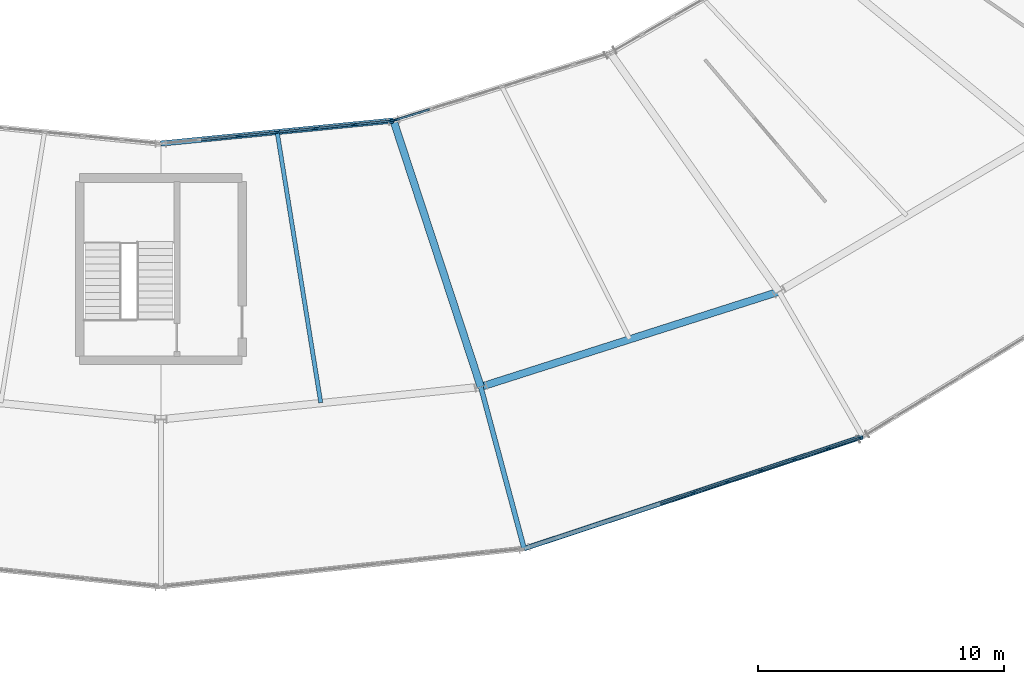
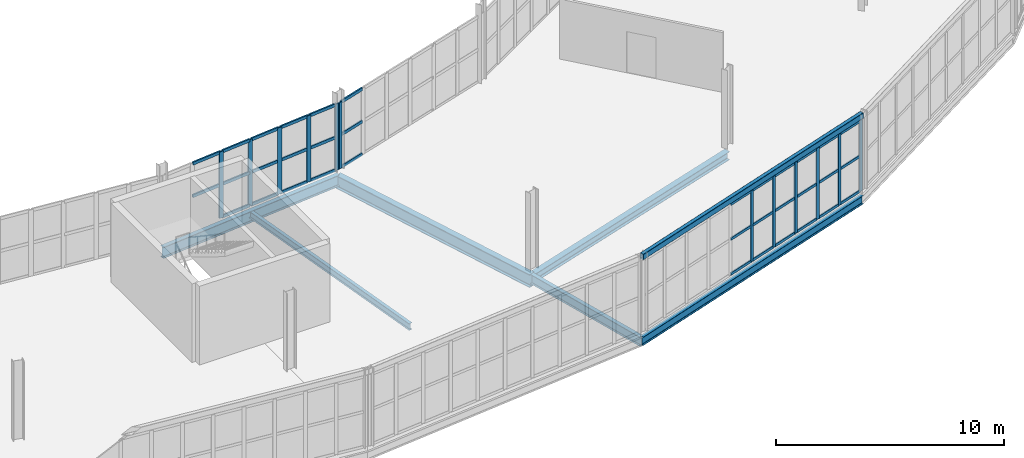
# One storey, part 46 of 161: 47 members, 7 beams, 3 elements without a shape of their own.
"""IFC4 building model written with IfcOpenShell, lengths in metres."""

from ifc_helpers import new_model, si_unit, direction, frame, origin, origin_2d, place, context, subcontext, project, spatial, rectangle, hollow_rectangle, i_section, extrude, material, material_profile, profile_set, type_object, element, aggregate, save


model = new_model("IFC4")

# Units and contexts
model_context = context("Model", 3, precision=1e-05, world=origin(), true_north=direction((0.0, 1.0)))
body_context = subcontext(model_context, "Body", "Model", "MODEL_VIEW")
ifc_project = project(units=[si_unit("LENGTHUNIT", "METRE"), si_unit("AREAUNIT", "SQUARE_METRE"), si_unit("VOLUMEUNIT", "CUBIC_METRE"), si_unit("PLANEANGLEUNIT", "RADIAN"), si_unit("MASSUNIT", "GRAM", prefix="KILO")], contexts=[model_context])

# Site, building, storey
site_placement = place(None, origin())
site = spatial("IfcSite", under=ifc_project, at=site_placement, CompositionType="ELEMENT")
building_placement = place(site_placement, origin())
building = spatial("IfcBuilding", under=site, at=building_placement, Name="Kildeholm Park Wholesale Market", CompositionType="ELEMENT")
storey_placement = place(building_placement, frame((0.0, 0.0, 5.39990234375)))
storey = spatial("IfcBuildingStorey", under=building, at=storey_placement, Name="L01", CompositionType="ELEMENT", Elevation=5.39990234375)

# Beams
ifc_material_1 = material(Name="Steel S355", Category="steel")
ifc_material_profile_1 = material_profile(ifc_material_1, i_section(OverallWidth=0.300048828125, OverallDepth=0.699951171875, WebThickness=0.01708984375, FlangeThickness=0.031982421875, FilletRadius=0.027099609375, at=origin_2d()), Name="HEB 700")
ifc_profile_set_1 = profile_set([ifc_material_profile_1], Name="Steel S355")
beam_type_1 = type_object("IfcBeamType", Name="Beam B-G01 HEB 700", PredefinedType="BEAM", material=ifc_profile_set_1)
beam_1_placement = place(storey_placement, frame((108.447021484375, 62.93701171875, -0.599853515625), z_axis=(0.31146940438, -0.950256181319, 0.0), x_axis=(0.950256181319, 0.31146940438, 0.0)))
element("IfcBeam", 1, at=beam_1_placement, inside=storey, type_object=beam_type_1, Name="Beam BM-V1-L01-R1-19 BM-0172", PredefinedType="BEAM", context=body_context, shape_type="SweptSolid", body=[
    extrude(i_section(OverallWidth=0.300048828125, OverallDepth=0.699951171875, WebThickness=0.01708984375, FlangeThickness=0.031982421875, FilletRadius=0.027099609375, at=origin_2d()), origin(), (0.0, 0.0, 1.0), 11.384521484375),
])
ifc_material_profile_2 = material_profile(ifc_material_1, i_section(OverallWidth=0.18994140625, OverallDepth=0.449951171875, WebThickness=0.009521484375, FlangeThickness=0.0146484375, FilletRadius=0.02099609375, at=origin_2d()), Name="IPE 450")
ifc_profile_set_2 = profile_set([ifc_material_profile_2], Name="Steel S355")
beam_type_2 = type_object("IfcBeamType", Name="Beam B-P02 IPE 450", PredefinedType="BEAM", material=ifc_profile_set_2)
beam_2_placement = place(storey_placement, frame((113.7529296875, 45.550048828125, -0.474853515625), z_axis=(0.949435985478, 0.313960681424, 0.0), x_axis=(-0.313960681424, 0.949435985478, 0.0)))
element("IfcBeam", 2, at=beam_2_placement, inside=storey, type_object=beam_type_2, Name="Beam BM-V1-L01-CO-19 BM-0177", PredefinedType="BEAM", context=body_context, shape_type="SweptSolid", body=[
    extrude(i_section(OverallWidth=0.18994140625, OverallDepth=0.449951171875, WebThickness=0.009521484375, FlangeThickness=0.0146484375, FilletRadius=0.02099609375, at=origin_2d()), origin(), (0.0, 0.0, 1.0), 14.479248046875),
])
ifc_material_profile_3 = material_profile(ifc_material_1, i_section(OverallWidth=0.199951171875, OverallDepth=0.5, WebThickness=0.01025390625, FlangeThickness=0.01611328125, FilletRadius=0.02099609375, at=origin_2d()), Name="IPE 500")
ifc_profile_set_3 = profile_set([ifc_material_profile_3], Name="Steel S355")
beam_type_3 = type_object("IfcBeamType", Name="Beam B-P03 IPE 500", PredefinedType="BEAM", material=ifc_profile_set_3)
beam_3_placement = place(storey_placement, frame((111.992919921875, 52.118896484375, -0.5), z_axis=(0.258804274594, -0.965929783914, 0.0), x_axis=(0.965929783914, 0.258804274594, 0.0)))
element("IfcBeam", 3, at=beam_3_placement, inside=storey, type_object=beam_type_3, Name="Beam BM-V1-L01-R2-19 BM-0174", PredefinedType="BEAM", context=body_context, shape_type="SweptSolid", body=[
    extrude(i_section(OverallWidth=0.199951171875, OverallDepth=0.5, WebThickness=0.01025390625, FlangeThickness=0.01611328125, FilletRadius=0.02099609375, at=origin_2d()), origin(), (0.0, 0.0, 1.0), 6.800537109375),
])
ifc_material_profile_4 = material_profile(ifc_material_1, i_section(OverallWidth=0.219970703125, OverallDepth=0.60009765625, WebThickness=0.011962890625, FlangeThickness=0.01904296875, FilletRadius=0.02392578125, at=origin_2d()), Name="IPE 600")
ifc_profile_set_4 = profile_set([ifc_material_profile_4], Name="Steel S355")
beam_type_4 = type_object("IfcBeamType", Name="Beam B-P04 IPE 600", PredefinedType="BEAM", material=ifc_profile_set_4)
beam_4_placement = place(storey_placement, frame((99.0, 62.0, -0.5498046875), z_axis=(0.995117073258, 0.098701623651, 0.0), x_axis=(-0.098701623651, 0.995117073258, 0.0)))
element("IfcBeam", 4, at=beam_4_placement, inside=storey, type_object=beam_type_4, Name="Beam BM-V1-L01-CI-18 BM-0165", PredefinedType="BEAM", context=body_context, shape_type="SweptSolid", body=[
    extrude(i_section(OverallWidth=0.219970703125, OverallDepth=0.60009765625, WebThickness=0.011962890625, FlangeThickness=0.01904296875, FilletRadius=0.02392578125, at=origin_2d()), origin(), (0.0, 0.0, 1.0), 9.493408203125),
])
ifc_material_profile_5 = material_profile(ifc_material_1, i_section(OverallWidth=0.300048828125, OverallDepth=0.43994140625, WebThickness=0.011474609375, FlangeThickness=0.02099609375, FilletRadius=0.027099609375, at=origin_2d()), Name="HEA 450")
ifc_profile_set_5 = profile_set([ifc_material_profile_5], Name="Steel S355")
beam_type_5 = type_object("IfcBeamType", Name="Beam B-R02 HEA 450", PredefinedType="BEAM", material=ifc_profile_set_5)
beam_5_placement = place(storey_placement, frame((111.992919921875, 52.118896484375, -0.469970703125), z_axis=(0.952608649326, 0.304198555599, 0.0), x_axis=(-0.304198555599, 0.952608649326, 0.0)))
element("IfcBeam", 5, at=beam_5_placement, inside=storey, type_object=beam_type_5, Name="Beam BM-V1-L01-CM-19 BM-0176", PredefinedType="BEAM", context=body_context, shape_type="SweptSolid", body=[
    extrude(i_section(OverallWidth=0.300048828125, OverallDepth=0.43994140625, WebThickness=0.011474609375, FlangeThickness=0.02099609375, FilletRadius=0.027099609375, at=origin_2d()), origin(), (0.0, 0.0, 1.0), 12.70947265625),
])
ifc_material_profile_6 = material_profile(ifc_material_1, i_section(OverallWidth=0.169921875, OverallDepth=0.360107421875, WebThickness=0.008056640625, FlangeThickness=0.0126953125, FilletRadius=0.01806640625, at=origin_2d()), Name="IPE 360")
ifc_profile_set_6 = profile_set([ifc_material_profile_6], Name="Steel S355")
beam_type_6 = type_object("IfcBeamType", Name="Beam J-04 IPE 360", PredefinedType="JOIST", material=ifc_profile_set_6)
beam_6_placement = place(storey_placement, frame((103.726806640625, 62.44873046875, -0.429931640625), z_axis=(0.158998239013, -0.987278866375, 0.0), x_axis=(0.987278866375, 0.158998239013, 0.0)))
element("IfcBeam", 6, at=beam_6_placement, inside=storey, type_object=beam_type_6, Name="Beam JT-V1-L01-18 BM-0170", PredefinedType="JOIST", context=body_context, shape_type="SweptSolid", body=[
    extrude(i_section(OverallWidth=0.169921875, OverallDepth=0.360107421875, WebThickness=0.008056640625, FlangeThickness=0.0126953125, FilletRadius=0.01806640625, at=origin_2d()), origin(), (0.0, 0.0, 1.0), 11.11083984375),
])
ifc_material_profile_7 = material_profile(ifc_material_1, hollow_rectangle(XDim=0.199951171875, YDim=0.300048828125, WallThickness=0.012451171875, InnerFilletRadius=0.012451171875, OuterFilletRadius=0.02490234375, at=origin_2d()), Name="RHS 300x200x12.5")
ifc_profile_set_7 = profile_set([ifc_material_profile_7], Name="Steel S355")
beam_type_7 = type_object("IfcBeamType", Name="Beam SP-01 RHS 300x200x12.5", PredefinedType="SPANDREL", material=ifc_profile_set_7)
beam_7_placement = place(storey_placement, frame((113.7529296875, 45.550048828125, 4.022705078125), z_axis=(0.949435985478, 0.313960681424, 0.0), x_axis=(-0.313960681424, 0.949435985478, 0.0)))
element("IfcBeam", 7, at=beam_7_placement, inside=storey, type_object=beam_type_7, Name="Beam SP-V1-EAV-19 BM-0334", PredefinedType="SPANDREL", context=body_context, shape_type="SweptSolid", body=[
    extrude(hollow_rectangle(XDim=0.199951171875, YDim=0.300048828125, WallThickness=0.012451171875, InnerFilletRadius=0.012451171875, OuterFilletRadius=0.02490234375, at=origin_2d()), origin(), (0.0, 0.0, 1.0), 14.479248046875),
])

# Curtain wall, members
ifc_material_2 = material(Name="Anodised aluminium and low-E double-glazed glass", Category="aluminium")
curtain_wall_type = type_object("IfcCurtainWallType", Name="Market hall glazed arcade stick curtain wall CW-01", PredefinedType="NOTDEFINED", material=ifc_material_2)
curtain_wall_1_placement = place(storey_placement, origin())
curtain_wall_1 = element("IfcCurtainWall", 8, at=curtain_wall_1_placement, inside=storey, type_object=curtain_wall_type, Name="Curtain wall CW-V1-OT-19-1 CW-0094", PredefinedType="NOTDEFINED")
ifc_material_3 = material(Name="Anodised aluminium", Category="aluminium")
ifc_material_profile_8 = material_profile(ifc_material_3, rectangle(XDim=0.06494140625, YDim=0.179931640625, at=origin_2d()), Name="CWM 65x180")
ifc_profile_set_8 = profile_set([ifc_material_profile_8], Name="Anodised aluminium")
member_type_1 = type_object("IfcMemberType", Name="Curtain-wall mullion CWM-1 CWM 65x180", PredefinedType="MULLION", material=ifc_profile_set_8)
member_1_placement = place(storey_placement, frame((120.62841796875, 47.819091796875, 0.0), z_axis=(0.0, 0.0, 1.0), x_axis=(-0.313914140335, 0.949451374478, 0.0)))
member_1 = element("IfcMember", 9, at=member_1_placement, type_object=member_type_1, Name="CW-01 mullion 6 MEM-2980", PredefinedType="MULLION", context=body_context, shape_type="SweptSolid", body=[
    extrude(rectangle(XDim=0.06494140625, YDim=0.179931640625, at=origin_2d()), origin(), (0.0, 0.0, 1.0), 3.800048828125),
])
member_2_placement = place(storey_placement, frame((121.99560546875, 48.27099609375, 0.0), z_axis=(0.0, 0.0, 1.0), x_axis=(-0.313914140335, 0.949451374478, 0.0)))
member_2 = element("IfcMember", 10, at=member_2_placement, type_object=member_type_1, Name="CW-01 mullion 7 MEM-2981", PredefinedType="MULLION", context=body_context, shape_type="SweptSolid", body=[
    extrude(rectangle(XDim=0.06494140625, YDim=0.179931640625, at=origin_2d()), origin(), (0.0, 0.0, 1.0), 3.800048828125),
])
member_3_placement = place(storey_placement, frame((123.36279296875, 48.722900390625, 0.0), z_axis=(0.0, 0.0, 1.0), x_axis=(-0.313914140335, 0.949451374478, 0.0)))
member_3 = element("IfcMember", 11, at=member_3_placement, type_object=member_type_1, Name="CW-01 mullion 8 MEM-2982", PredefinedType="MULLION", context=body_context, shape_type="SweptSolid", body=[
    extrude(rectangle(XDim=0.06494140625, YDim=0.179931640625, at=origin_2d()), origin(), (0.0, 0.0, 1.0), 3.800048828125),
])
member_4_placement = place(storey_placement, frame((124.729736328125, 49.175048828125, 0.0), z_axis=(0.0, 0.0, 1.0), x_axis=(-0.313914140335, 0.949451374478, 0.0)))
member_4 = element("IfcMember", 12, at=member_4_placement, type_object=member_type_1, Name="CW-01 mullion 9 MEM-2983", PredefinedType="MULLION", context=body_context, shape_type="SweptSolid", body=[
    extrude(rectangle(XDim=0.06494140625, YDim=0.179931640625, at=origin_2d()), origin(), (0.0, 0.0, 1.0), 3.800048828125),
])
member_5_placement = place(storey_placement, frame((126.096923828125, 49.626953125, 0.0), z_axis=(0.0, 0.0, 1.0), x_axis=(-0.313914140335, 0.949451374478, 0.0)))
member_5 = element("IfcMember", 13, at=member_5_placement, type_object=member_type_1, Name="CW-01 mullion 10 MEM-2984", PredefinedType="MULLION", context=body_context, shape_type="SweptSolid", body=[
    extrude(rectangle(XDim=0.06494140625, YDim=0.179931640625, at=origin_2d()), origin(), (0.0, 0.0, 1.0), 3.800048828125),
])
member_6_placement = place(storey_placement, frame((127.43310546875, 50.06884765625, 0.0), z_axis=(0.0, 0.0, 1.0), x_axis=(-0.313914140335, 0.949451374478, 0.0)))
member_6 = element("IfcMember", 14, at=member_6_placement, type_object=member_type_1, Name="CW-01 mullion 11 MEM-2985", PredefinedType="MULLION", context=body_context, shape_type="SweptSolid", body=[
    extrude(rectangle(XDim=0.06494140625, YDim=0.179931640625, at=origin_2d()), origin(), (0.0, 0.0, 1.0), 3.800048828125),
])

curtain_wall_2_placement = place(storey_placement, origin())
curtain_wall_2 = element("IfcCurtainWall", 15, at=curtain_wall_2_placement, inside=storey, type_object=curtain_wall_type, Name="Curtain wall CW-V1-IN1-18 CW-0092", PredefinedType="NOTDEFINED")
ifc_material_profile_9 = material_profile(ifc_material_3, rectangle(XDim=0.074951171875, YDim=0.219970703125, at=origin_2d()), Name="CWM 75x220")
ifc_profile_set_9 = profile_set([ifc_material_profile_9], Name="Anodised aluminium")
member_type_2 = type_object("IfcMemberType", Name="Curtain-wall mullion CWM-2 CWM 75x220", PredefinedType="MULLION", material=ifc_profile_set_9)
member_7_placement = place(storey_placement, frame((102.16259765625, 62.3095703125, 0.0), z_axis=(0.0, 0.0, 1.0), x_axis=(-0.098683331174, 0.995118887444, 0.0)))
member_7 = element("IfcMember", 16, at=member_7_placement, type_object=member_type_2, Name="CW-01 mullion 3 MEM-2927", PredefinedType="MULLION", context=body_context, shape_type="SweptSolid", body=[
    extrude(rectangle(XDim=0.074951171875, YDim=0.219970703125, at=origin_2d()), origin(), (0.0, 0.0, 1.0), 3.550048828125),
])
member_8_placement = place(storey_placement, frame((103.72412109375, 62.464599609375, 0.0), z_axis=(0.0, 0.0, 1.0), x_axis=(-0.098683331174, 0.995118887444, 0.0)))
member_8 = element("IfcMember", 17, at=member_8_placement, type_object=member_type_2, Name="CW-01 mullion 4 MEM-2928", PredefinedType="MULLION", context=body_context, shape_type="SweptSolid", body=[
    extrude(rectangle(XDim=0.074951171875, YDim=0.219970703125, at=origin_2d()), origin(), (0.0, 0.0, 1.0), 3.550048828125),
])
member_9_placement = place(storey_placement, frame((105.285400390625, 62.619384765625, 0.0), z_axis=(0.0, 0.0, 1.0), x_axis=(-0.098683331174, 0.995118887444, 0.0)))
member_9 = element("IfcMember", 18, at=member_9_placement, type_object=member_type_2, Name="CW-01 mullion 5 MEM-2929", PredefinedType="MULLION", context=body_context, shape_type="SweptSolid", body=[
    extrude(rectangle(XDim=0.074951171875, YDim=0.219970703125, at=origin_2d()), origin(), (0.0, 0.0, 1.0), 3.550048828125),
])
member_10_placement = place(storey_placement, frame((106.8466796875, 62.774169921875, 0.0), z_axis=(0.0, 0.0, 1.0), x_axis=(-0.098683331174, 0.995118887444, 0.0)))
member_10 = element("IfcMember", 19, at=member_10_placement, type_object=member_type_2, Name="CW-01 mullion 6 MEM-2930", PredefinedType="MULLION", context=body_context, shape_type="SweptSolid", body=[
    extrude(rectangle(XDim=0.074951171875, YDim=0.219970703125, at=origin_2d()), origin(), (0.0, 0.0, 1.0), 3.550048828125),
])
member_11_placement = place(storey_placement, frame((108.37060546875, 62.92529296875, 0.0), z_axis=(0.0, 0.0, 1.0), x_axis=(-0.098683331174, 0.995118887444, 0.0)))
member_11 = element("IfcMember", 20, at=member_11_placement, type_object=member_type_2, Name="CW-01 mullion 7 MEM-2931", PredefinedType="MULLION", context=body_context, shape_type="SweptSolid", body=[
    extrude(rectangle(XDim=0.074951171875, YDim=0.219970703125, at=origin_2d()), origin(), (0.0, 0.0, 1.0), 3.550048828125),
])

# Curtain wall, member
curtain_wall_3_placement = place(storey_placement, origin())
curtain_wall_3 = element("IfcCurtainWall", 21, at=curtain_wall_3_placement, inside=storey, type_object=curtain_wall_type, Name="Curtain wall CW-V1-IN1-19 CW-0097", PredefinedType="NOTDEFINED")
member_12_placement = place(storey_placement, frame((108.522705078125, 62.9560546875, 0.0), z_axis=(0.0, 0.0, 1.0), x_axis=(-0.297957339818, 0.954579186683, 0.0)))
member_12 = element("IfcMember", 22, at=member_12_placement, type_object=member_type_2, Name="CW-01 mullion 1 MEM-3074", PredefinedType="MULLION", context=body_context, shape_type="SweptSolid", body=[
    extrude(rectangle(XDim=0.074951171875, YDim=0.219970703125, at=origin_2d()), origin(), (0.0, 0.0, 1.0), 3.550048828125),
])

# Member
ifc_material_profile_10 = material_profile(ifc_material_3, rectangle(XDim=0.06494140625, YDim=0.139892578125, at=origin_2d()), Name="CWT 65x140")
ifc_profile_set_10 = profile_set([ifc_material_profile_10], Name="Anodised aluminium")
member_type_3 = type_object("IfcMemberType", Name="Curtain-wall transom CWT-1 CWT 65x140", PredefinedType="USERDEFINED", material=ifc_profile_set_10)
member_13_placement = place(storey_placement, frame((119.292236328125, 47.377197265625, 0.03271484375), z_axis=(0.949444065444, 0.313936246064, 0.0), x_axis=(-0.313936246064, 0.949444065444, 0.0)))
member_13 = element("IfcMember", 23, at=member_13_placement, type_object=member_type_3, Name="CW-01 transom 5.1 MEM-2998", ObjectType="TRANSOM", PredefinedType="USERDEFINED", context=body_context, shape_type="SweptSolid", body=[
    extrude(rectangle(XDim=0.06494140625, YDim=0.139892578125, at=origin_2d()), origin(), (0.0, 0.0, 1.0), 1.375),
])

member_14_placement = place(storey_placement, frame((119.292236328125, 47.377197265625, 1.900146484375), z_axis=(0.949444065444, 0.313936246064, 0.0), x_axis=(-0.313936246064, 0.949444065444, 0.0)))
member_14 = element("IfcMember", 24, at=member_14_placement, type_object=member_type_3, Name="CW-01 transom 5.2 MEM-2999", ObjectType="TRANSOM", PredefinedType="USERDEFINED", context=body_context, shape_type="SweptSolid", body=[
    extrude(rectangle(XDim=0.06494140625, YDim=0.139892578125, at=origin_2d()), origin(), (0.0, 0.0, 1.0), 1.375),
])

member_15_placement = place(storey_placement, frame((119.292236328125, 47.377197265625, 3.767578125), z_axis=(0.949444065444, 0.313936246064, 0.0), x_axis=(-0.313936246064, 0.949444065444, 0.0)))
member_15 = element("IfcMember", 25, at=member_15_placement, type_object=member_type_3, Name="CW-01 transom 5.3 MEM-3000", ObjectType="TRANSOM", PredefinedType="USERDEFINED", context=body_context, shape_type="SweptSolid", body=[
    extrude(rectangle(XDim=0.06494140625, YDim=0.139892578125, at=origin_2d()), origin(), (0.0, 0.0, 1.0), 1.375),
])

member_16_placement = place(storey_placement, frame((120.659423828125, 47.8291015625, 0.03271484375), z_axis=(0.949444065444, 0.313936246064, 0.0), x_axis=(-0.313936246064, 0.949444065444, 0.0)))
member_16 = element("IfcMember", 26, at=member_16_placement, type_object=member_type_3, Name="CW-01 transom 6.1 MEM-3001", ObjectType="TRANSOM", PredefinedType="USERDEFINED", context=body_context, shape_type="SweptSolid", body=[
    extrude(rectangle(XDim=0.06494140625, YDim=0.139892578125, at=origin_2d()), origin(), (0.0, 0.0, 1.0), 1.375),
])

member_17_placement = place(storey_placement, frame((120.659423828125, 47.8291015625, 1.900146484375), z_axis=(0.949444065444, 0.313936246064, 0.0), x_axis=(-0.313936246064, 0.949444065444, 0.0)))
member_17 = element("IfcMember", 27, at=member_17_placement, type_object=member_type_3, Name="CW-01 transom 6.2 MEM-3002", ObjectType="TRANSOM", PredefinedType="USERDEFINED", context=body_context, shape_type="SweptSolid", body=[
    extrude(rectangle(XDim=0.06494140625, YDim=0.139892578125, at=origin_2d()), origin(), (0.0, 0.0, 1.0), 1.375),
])

member_18_placement = place(storey_placement, frame((120.659423828125, 47.8291015625, 3.767578125), z_axis=(0.949444065444, 0.313936246064, 0.0), x_axis=(-0.313936246064, 0.949444065444, 0.0)))
member_18 = element("IfcMember", 28, at=member_18_placement, type_object=member_type_3, Name="CW-01 transom 6.3 MEM-3003", ObjectType="TRANSOM", PredefinedType="USERDEFINED", context=body_context, shape_type="SweptSolid", body=[
    extrude(rectangle(XDim=0.06494140625, YDim=0.139892578125, at=origin_2d()), origin(), (0.0, 0.0, 1.0), 1.375),
])

member_19_placement = place(storey_placement, frame((122.0263671875, 48.28125, 0.03271484375), z_axis=(0.949444065444, 0.313936246064, 0.0), x_axis=(-0.313936246064, 0.949444065444, 0.0)))
member_19 = element("IfcMember", 29, at=member_19_placement, type_object=member_type_3, Name="CW-01 transom 7.1 MEM-3004", ObjectType="TRANSOM", PredefinedType="USERDEFINED", context=body_context, shape_type="SweptSolid", body=[
    extrude(rectangle(XDim=0.06494140625, YDim=0.139892578125, at=origin_2d()), origin(), (0.0, 0.0, 1.0), 1.375),
])

member_20_placement = place(storey_placement, frame((122.0263671875, 48.28125, 1.900146484375), z_axis=(0.949444065444, 0.313936246064, 0.0), x_axis=(-0.313936246064, 0.949444065444, 0.0)))
member_20 = element("IfcMember", 30, at=member_20_placement, type_object=member_type_3, Name="CW-01 transom 7.2 MEM-3005", ObjectType="TRANSOM", PredefinedType="USERDEFINED", context=body_context, shape_type="SweptSolid", body=[
    extrude(rectangle(XDim=0.06494140625, YDim=0.139892578125, at=origin_2d()), origin(), (0.0, 0.0, 1.0), 1.375),
])

member_21_placement = place(storey_placement, frame((122.0263671875, 48.28125, 3.767578125), z_axis=(0.949444065444, 0.313936246064, 0.0), x_axis=(-0.313936246064, 0.949444065444, 0.0)))
member_21 = element("IfcMember", 31, at=member_21_placement, type_object=member_type_3, Name="CW-01 transom 7.3 MEM-3006", ObjectType="TRANSOM", PredefinedType="USERDEFINED", context=body_context, shape_type="SweptSolid", body=[
    extrude(rectangle(XDim=0.06494140625, YDim=0.139892578125, at=origin_2d()), origin(), (0.0, 0.0, 1.0), 1.375),
])

member_22_placement = place(storey_placement, frame((123.3935546875, 48.733154296875, 0.03271484375), z_axis=(0.949444065444, 0.313936246064, 0.0), x_axis=(-0.313936246064, 0.949444065444, 0.0)))
member_22 = element("IfcMember", 32, at=member_22_placement, type_object=member_type_3, Name="CW-01 transom 8.1 MEM-3007", ObjectType="TRANSOM", PredefinedType="USERDEFINED", context=body_context, shape_type="SweptSolid", body=[
    extrude(rectangle(XDim=0.06494140625, YDim=0.139892578125, at=origin_2d()), origin(), (0.0, 0.0, 1.0), 1.375),
])

member_23_placement = place(storey_placement, frame((123.3935546875, 48.733154296875, 1.900146484375), z_axis=(0.949444065444, 0.313936246064, 0.0), x_axis=(-0.313936246064, 0.949444065444, 0.0)))
member_23 = element("IfcMember", 33, at=member_23_placement, type_object=member_type_3, Name="CW-01 transom 8.2 MEM-3008", ObjectType="TRANSOM", PredefinedType="USERDEFINED", context=body_context, shape_type="SweptSolid", body=[
    extrude(rectangle(XDim=0.06494140625, YDim=0.139892578125, at=origin_2d()), origin(), (0.0, 0.0, 1.0), 1.375),
])

member_24_placement = place(storey_placement, frame((123.3935546875, 48.733154296875, 3.767578125), z_axis=(0.949444065444, 0.313936246064, 0.0), x_axis=(-0.313936246064, 0.949444065444, 0.0)))
member_24 = element("IfcMember", 34, at=member_24_placement, type_object=member_type_3, Name="CW-01 transom 8.3 MEM-3009", ObjectType="TRANSOM", PredefinedType="USERDEFINED", context=body_context, shape_type="SweptSolid", body=[
    extrude(rectangle(XDim=0.06494140625, YDim=0.139892578125, at=origin_2d()), origin(), (0.0, 0.0, 1.0), 1.375),
])

member_25_placement = place(storey_placement, frame((124.7607421875, 49.185302734375, 0.03271484375), z_axis=(0.949496981018, 0.313776167095, 0.0), x_axis=(-0.313776167095, 0.949496981018, 0.0)))
member_25 = element("IfcMember", 35, at=member_25_placement, type_object=member_type_3, Name="CW-01 transom 9.1 MEM-3010", ObjectType="TRANSOM", PredefinedType="USERDEFINED", context=body_context, shape_type="SweptSolid", body=[
    extrude(rectangle(XDim=0.06494140625, YDim=0.139892578125, at=origin_2d()), origin(), (0.0, 0.0, 1.0), 1.374755859375),
])

member_26_placement = place(storey_placement, frame((124.7607421875, 49.185302734375, 1.900146484375), z_axis=(0.949496981018, 0.313776167095, 0.0), x_axis=(-0.313776167095, 0.949496981018, 0.0)))
member_26 = element("IfcMember", 36, at=member_26_placement, type_object=member_type_3, Name="CW-01 transom 9.2 MEM-3011", ObjectType="TRANSOM", PredefinedType="USERDEFINED", context=body_context, shape_type="SweptSolid", body=[
    extrude(rectangle(XDim=0.06494140625, YDim=0.139892578125, at=origin_2d()), origin(), (0.0, 0.0, 1.0), 1.374755859375),
])

member_27_placement = place(storey_placement, frame((124.7607421875, 49.185302734375, 3.767578125), z_axis=(0.949496981018, 0.313776167095, 0.0), x_axis=(-0.313776167095, 0.949496981018, 0.0)))
member_27 = element("IfcMember", 37, at=member_27_placement, type_object=member_type_3, Name="CW-01 transom 9.3 MEM-3012", ObjectType="TRANSOM", PredefinedType="USERDEFINED", context=body_context, shape_type="SweptSolid", body=[
    extrude(rectangle(XDim=0.06494140625, YDim=0.139892578125, at=origin_2d()), origin(), (0.0, 0.0, 1.0), 1.374755859375),
])

member_28_placement = place(storey_placement, frame((126.127685546875, 49.63720703125, 0.03271484375), z_axis=(0.949462371896, 0.313880876057, 0.0), x_axis=(-0.313880876057, 0.949462371896, 0.0)))
member_28 = element("IfcMember", 38, at=member_28_placement, type_object=member_type_3, Name="CW-01 transom 10.1 MEM-3013", ObjectType="TRANSOM", PredefinedType="USERDEFINED", context=body_context, shape_type="SweptSolid", body=[
    extrude(rectangle(XDim=0.06494140625, YDim=0.139892578125, at=origin_2d()), origin(), (0.0, 0.0, 1.0), 1.342529296875),
])

member_29_placement = place(storey_placement, frame((126.127685546875, 49.63720703125, 1.900146484375), z_axis=(0.949462371896, 0.313880876057, 0.0), x_axis=(-0.313880876057, 0.949462371896, 0.0)))
member_29 = element("IfcMember", 39, at=member_29_placement, type_object=member_type_3, Name="CW-01 transom 10.2 MEM-3014", ObjectType="TRANSOM", PredefinedType="USERDEFINED", context=body_context, shape_type="SweptSolid", body=[
    extrude(rectangle(XDim=0.06494140625, YDim=0.139892578125, at=origin_2d()), origin(), (0.0, 0.0, 1.0), 1.342529296875),
])

member_30_placement = place(storey_placement, frame((126.127685546875, 49.63720703125, 3.767578125), z_axis=(0.949462371896, 0.313880876057, 0.0), x_axis=(-0.313880876057, 0.949462371896, 0.0)))
member_30 = element("IfcMember", 40, at=member_30_placement, type_object=member_type_3, Name="CW-01 transom 10.3 MEM-3015", ObjectType="TRANSOM", PredefinedType="USERDEFINED", context=body_context, shape_type="SweptSolid", body=[
    extrude(rectangle(XDim=0.06494140625, YDim=0.139892578125, at=origin_2d()), origin(), (0.0, 0.0, 1.0), 1.342529296875),
])

aggregate(curtain_wall_1, [member_1, member_2, member_3, member_4, member_5, member_6, member_13, member_14, member_15, member_16, member_17, member_18, member_19, member_20, member_21, member_22, member_23, member_24, member_25, member_26, member_27, member_28, member_29, member_30])

ifc_material_profile_11 = material_profile(ifc_material_3, rectangle(XDim=0.074951171875, YDim=0.159912109375, at=origin_2d()), Name="CWT 75x160")
ifc_profile_set_11 = profile_set([ifc_material_profile_11], Name="Anodised aluminium")
member_type_4 = type_object("IfcMemberType", Name="Curtain-wall transom CWT-2 CWT 75x160", PredefinedType="USERDEFINED", material=ifc_profile_set_11)
member_31_placement = place(storey_placement, frame((100.638671875, 62.158447265625, 1.775146484375), z_axis=(0.995116161416, 0.098710816472, 0.0), x_axis=(-0.098710816472, 0.995116161416, 0.0)))
member_31 = element("IfcMember", 41, at=member_31_placement, type_object=member_type_4, Name="CW-01 transom 2.2 MEM-2936", ObjectType="TRANSOM", PredefinedType="USERDEFINED", context=body_context, shape_type="SweptSolid", body=[
    extrude(rectangle(XDim=0.074951171875, YDim=0.159912109375, at=origin_2d()), origin(), (0.0, 0.0, 1.0), 1.493896484375),
])

member_32_placement = place(storey_placement, frame((100.638671875, 62.158447265625, 3.5126953125), z_axis=(0.995116161416, 0.098710816472, 0.0), x_axis=(-0.098710816472, 0.995116161416, 0.0)))
member_32 = element("IfcMember", 42, at=member_32_placement, type_object=member_type_4, Name="CW-01 transom 2.3 MEM-2937", ObjectType="TRANSOM", PredefinedType="USERDEFINED", context=body_context, shape_type="SweptSolid", body=[
    extrude(rectangle(XDim=0.074951171875, YDim=0.159912109375, at=origin_2d()), origin(), (0.0, 0.0, 1.0), 1.493896484375),
])

member_33_placement = place(storey_placement, frame((102.199951171875, 62.3134765625, 0.03759765625), z_axis=(0.995133788729, 0.098532951495, 0.0), x_axis=(-0.098532951495, 0.995133788729, 0.0)))
member_33 = element("IfcMember", 43, at=member_33_placement, type_object=member_type_4, Name="CW-01 transom 3.1 MEM-2938", ObjectType="TRANSOM", PredefinedType="USERDEFINED", context=body_context, shape_type="SweptSolid", body=[
    extrude(rectangle(XDim=0.074951171875, YDim=0.159912109375, at=origin_2d()), origin(), (0.0, 0.0, 1.0), 1.494140625),
])

member_34_placement = place(storey_placement, frame((102.199951171875, 62.3134765625, 1.775146484375), z_axis=(0.995133788729, 0.098532951495, 0.0), x_axis=(-0.098532951495, 0.995133788729, 0.0)))
member_34 = element("IfcMember", 44, at=member_34_placement, type_object=member_type_4, Name="CW-01 transom 3.2 MEM-2939", ObjectType="TRANSOM", PredefinedType="USERDEFINED", context=body_context, shape_type="SweptSolid", body=[
    extrude(rectangle(XDim=0.074951171875, YDim=0.159912109375, at=origin_2d()), origin(), (0.0, 0.0, 1.0), 1.494140625),
])

member_35_placement = place(storey_placement, frame((102.199951171875, 62.3134765625, 3.5126953125), z_axis=(0.995133788729, 0.098532951495, 0.0), x_axis=(-0.098532951495, 0.995133788729, 0.0)))
member_35 = element("IfcMember", 45, at=member_35_placement, type_object=member_type_4, Name="CW-01 transom 3.3 MEM-2940", ObjectType="TRANSOM", PredefinedType="USERDEFINED", context=body_context, shape_type="SweptSolid", body=[
    extrude(rectangle(XDim=0.074951171875, YDim=0.159912109375, at=origin_2d()), origin(), (0.0, 0.0, 1.0), 1.494140625),
])

member_36_placement = place(storey_placement, frame((103.76123046875, 62.46826171875, 0.03759765625), z_axis=(0.995117753447, 0.098694765695, 0.0), x_axis=(-0.098694765695, 0.995117753447, 0.0)))
member_36 = element("IfcMember", 46, at=member_36_placement, type_object=member_type_4, Name="CW-01 transom 4.1 MEM-2941", ObjectType="TRANSOM", PredefinedType="USERDEFINED", context=body_context, shape_type="SweptSolid", body=[
    extrude(rectangle(XDim=0.074951171875, YDim=0.159912109375, at=origin_2d()), origin(), (0.0, 0.0, 1.0), 1.494140625),
])

member_37_placement = place(storey_placement, frame((103.76123046875, 62.46826171875, 1.775146484375), z_axis=(0.995117753447, 0.098694765695, 0.0), x_axis=(-0.098694765695, 0.995117753447, 0.0)))
member_37 = element("IfcMember", 47, at=member_37_placement, type_object=member_type_4, Name="CW-01 transom 4.2 MEM-2942", ObjectType="TRANSOM", PredefinedType="USERDEFINED", context=body_context, shape_type="SweptSolid", body=[
    extrude(rectangle(XDim=0.074951171875, YDim=0.159912109375, at=origin_2d()), origin(), (0.0, 0.0, 1.0), 1.494140625),
])

member_38_placement = place(storey_placement, frame((103.76123046875, 62.46826171875, 3.5126953125), z_axis=(0.995117753447, 0.098694765695, 0.0), x_axis=(-0.098694765695, 0.995117753447, 0.0)))
member_38 = element("IfcMember", 48, at=member_38_placement, type_object=member_type_4, Name="CW-01 transom 4.3 MEM-2943", ObjectType="TRANSOM", PredefinedType="USERDEFINED", context=body_context, shape_type="SweptSolid", body=[
    extrude(rectangle(XDim=0.074951171875, YDim=0.159912109375, at=origin_2d()), origin(), (0.0, 0.0, 1.0), 1.494140625),
])

member_39_placement = place(storey_placement, frame((105.32275390625, 62.623046875, 0.03759765625), z_axis=(0.995116161416, 0.098710816472, 0.0), x_axis=(-0.098710816472, 0.995116161416, 0.0)))
member_39 = element("IfcMember", 49, at=member_39_placement, type_object=member_type_4, Name="CW-01 transom 5.1 MEM-2944", ObjectType="TRANSOM", PredefinedType="USERDEFINED", context=body_context, shape_type="SweptSolid", body=[
    extrude(rectangle(XDim=0.074951171875, YDim=0.159912109375, at=origin_2d()), origin(), (0.0, 0.0, 1.0), 1.493896484375),
])

member_40_placement = place(storey_placement, frame((105.32275390625, 62.623046875, 1.775146484375), z_axis=(0.995116161416, 0.098710816472, 0.0), x_axis=(-0.098710816472, 0.995116161416, 0.0)))
member_40 = element("IfcMember", 50, at=member_40_placement, type_object=member_type_4, Name="CW-01 transom 5.2 MEM-2945", ObjectType="TRANSOM", PredefinedType="USERDEFINED", context=body_context, shape_type="SweptSolid", body=[
    extrude(rectangle(XDim=0.074951171875, YDim=0.159912109375, at=origin_2d()), origin(), (0.0, 0.0, 1.0), 1.493896484375),
])

member_41_placement = place(storey_placement, frame((105.32275390625, 62.623046875, 3.5126953125), z_axis=(0.995116161416, 0.098710816472, 0.0), x_axis=(-0.098710816472, 0.995116161416, 0.0)))
member_41 = element("IfcMember", 51, at=member_41_placement, type_object=member_type_4, Name="CW-01 transom 5.3 MEM-2946", ObjectType="TRANSOM", PredefinedType="USERDEFINED", context=body_context, shape_type="SweptSolid", body=[
    extrude(rectangle(XDim=0.074951171875, YDim=0.159912109375, at=origin_2d()), origin(), (0.0, 0.0, 1.0), 1.493896484375),
])

member_42_placement = place(storey_placement, frame((106.884033203125, 62.77783203125, 0.03759765625), z_axis=(0.995113248343, 0.098740179123, 0.0), x_axis=(-0.098740179123, 0.995113248343, 0.0)))
member_42 = element("IfcMember", 52, at=member_42_placement, type_object=member_type_4, Name="CW-01 transom 6.1 MEM-2947", ObjectType="TRANSOM", PredefinedType="USERDEFINED", context=body_context, shape_type="SweptSolid", body=[
    extrude(rectangle(XDim=0.074951171875, YDim=0.159912109375, at=origin_2d()), origin(), (0.0, 0.0, 1.0), 1.456298828125),
])

member_43_placement = place(storey_placement, frame((106.884033203125, 62.77783203125, 1.775146484375), z_axis=(0.995113248343, 0.098740179123, 0.0), x_axis=(-0.098740179123, 0.995113248343, 0.0)))
member_43 = element("IfcMember", 53, at=member_43_placement, type_object=member_type_4, Name="CW-01 transom 6.2 MEM-2948", ObjectType="TRANSOM", PredefinedType="USERDEFINED", context=body_context, shape_type="SweptSolid", body=[
    extrude(rectangle(XDim=0.074951171875, YDim=0.159912109375, at=origin_2d()), origin(), (0.0, 0.0, 1.0), 1.456298828125),
])

member_44_placement = place(storey_placement, frame((106.884033203125, 62.77783203125, 3.5126953125), z_axis=(0.995113248343, 0.098740179123, 0.0), x_axis=(-0.098740179123, 0.995113248343, 0.0)))
member_44 = element("IfcMember", 54, at=member_44_placement, type_object=member_type_4, Name="CW-01 transom 6.3 MEM-2949", ObjectType="TRANSOM", PredefinedType="USERDEFINED", context=body_context, shape_type="SweptSolid", body=[
    extrude(rectangle(XDim=0.074951171875, YDim=0.159912109375, at=origin_2d()), origin(), (0.0, 0.0, 1.0), 1.456298828125),
])

aggregate(curtain_wall_2, [member_7, member_8, member_9, member_10, member_11, member_31, member_32, member_33, member_34, member_35, member_36, member_37, member_38, member_39, member_40, member_41, member_42, member_43, member_44])

member_45_placement = place(storey_placement, frame((108.55859375, 62.96728515625, 0.03759765625), z_axis=(0.954547671151, 0.298058288763, 0.0), x_axis=(-0.298058288763, 0.954547671151, 0.0)))
member_45 = element("IfcMember", 55, at=member_45_placement, type_object=member_type_4, Name="CW-01 transom 1.1 MEM-3081", ObjectType="TRANSOM", PredefinedType="USERDEFINED", context=body_context, shape_type="SweptSolid", body=[
    extrude(rectangle(XDim=0.074951171875, YDim=0.159912109375, at=origin_2d()), origin(), (0.0, 0.0, 1.0), 1.411376953125),
])

member_46_placement = place(storey_placement, frame((108.55859375, 62.96728515625, 1.775146484375), z_axis=(0.954547671151, 0.298058288763, 0.0), x_axis=(-0.298058288763, 0.954547671151, 0.0)))
member_46 = element("IfcMember", 56, at=member_46_placement, type_object=member_type_4, Name="CW-01 transom 1.2 MEM-3082", ObjectType="TRANSOM", PredefinedType="USERDEFINED", context=body_context, shape_type="SweptSolid", body=[
    extrude(rectangle(XDim=0.074951171875, YDim=0.159912109375, at=origin_2d()), origin(), (0.0, 0.0, 1.0), 1.411376953125),
])

member_47_placement = place(storey_placement, frame((108.55859375, 62.96728515625, 3.5126953125), z_axis=(0.954547671151, 0.298058288763, 0.0), x_axis=(-0.298058288763, 0.954547671151, 0.0)))
member_47 = element("IfcMember", 57, at=member_47_placement, type_object=member_type_4, Name="CW-01 transom 1.3 MEM-3083", ObjectType="TRANSOM", PredefinedType="USERDEFINED", context=body_context, shape_type="SweptSolid", body=[
    extrude(rectangle(XDim=0.074951171875, YDim=0.159912109375, at=origin_2d()), origin(), (0.0, 0.0, 1.0), 1.411376953125),
])

aggregate(curtain_wall_3, [member_12, member_45, member_46, member_47])

save(model, "model.ifc")
